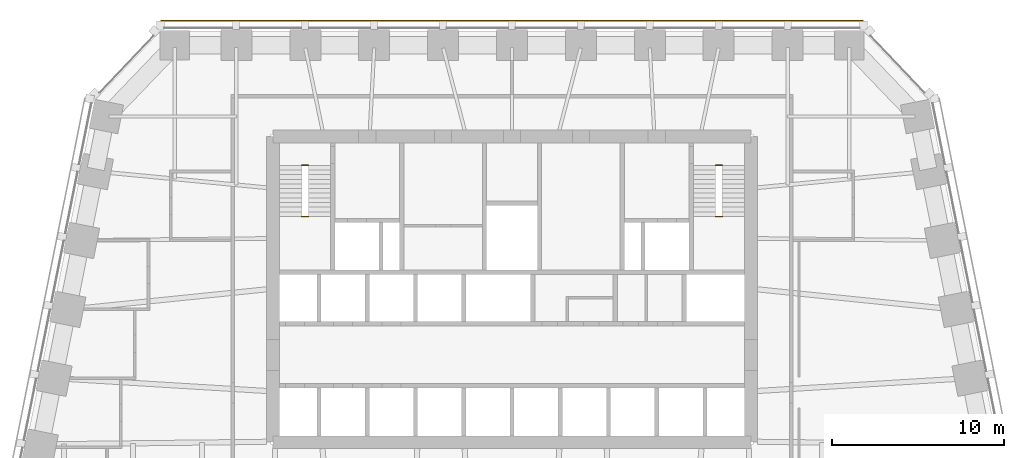
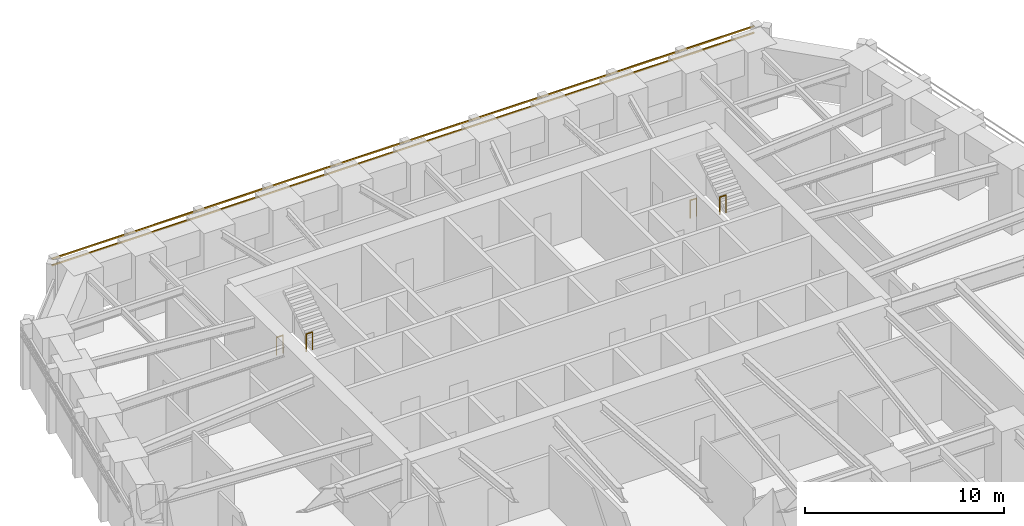
# One storey, part 10 of 10: 4 railings, 2 shading devices.
"""IFC4 building model written with IfcOpenShell, lengths in metres."""

from ifc_helpers import new_model, si_unit, direction, frame, origin, origin_2d, place, context, subcontext, project, spatial, rectangle, circle, extrude, material, material_profile, profile_set, type_object, element, save


model = new_model("IFC4")

# Units and contexts
model_context = context("Model", 3, precision=1e-05, world=origin(), true_north=direction((0.0, 1.0)))
body_context = subcontext(model_context, "Body", "Model", "MODEL_VIEW")
ifc_project = project(units=[si_unit("LENGTHUNIT", "METRE"), si_unit("AREAUNIT", "SQUARE_METRE"), si_unit("VOLUMEUNIT", "CUBIC_METRE"), si_unit("PLANEANGLEUNIT", "RADIAN"), si_unit("MASSUNIT", "GRAM", prefix="KILO")], contexts=[model_context])

# Site, building, storey
site_placement = place(None, origin())
site = spatial("IfcSite", under=ifc_project, at=site_placement, CompositionType="ELEMENT")
building_placement = place(site_placement, origin())
building = spatial("IfcBuilding", under=site, at=building_placement, Name="Isbrekke Arena Tower", CompositionType="ELEMENT")
storey_placement = place(building_placement, frame((0.0, 0.0, 111.0)))
storey = spatial("IfcBuildingStorey", under=building, at=storey_placement, Name="L24", CompositionType="ELEMENT", Elevation=111.0)

# Shading devices
ifc_material_1 = material(Name="Terracotta", Category="masonry")
ifc_material_profile = material_profile(ifc_material_1, rectangle(XDim=0.06005859375, YDim=0.06005859375, at=origin_2d()), Name="BAGUETTE 60X60")
ifc_profile_set = profile_set([ifc_material_profile], Name="Terracotta")
shading_device_type = type_object("IfcShadingDeviceType", Name="BG1 TERRACOTTA BAGUETTE 60 x 60", PredefinedType="USERDEFINED", material=ifc_profile_set)
for number, where, z_axis, x_axis, name in (
    (1, (20.39990234375, 30.60498046875, 3.280029296875), (-1.0, 0.0, 0.0), (0.0, -1.0, 0.0), "BG1 terracotta baguette N1 L24"),
    (2, (20.39990234375, 30.60498046875, 3.679931640625), (-1.0, 0.0, 0.0), (0.0, -1.0, 0.0), "BG1 terracotta baguette N2 L24"),
):
    element("IfcShadingDevice", number, at=place(storey_placement, frame(where, z_axis=z_axis, x_axis=x_axis)), inside=storey, type_object=shading_device_type, Name=name, ObjectType="TERRACOTTA BAGUETTE", PredefinedType="USERDEFINED", context=body_context, shape_type="SweptSolid", body=[
        extrude(rectangle(XDim=0.06005859375, YDim=0.06005859375, at=origin_2d()), origin(), (0.0, 0.0, 1.0), 40.7998046875),
    ])

# Railings
ifc_material_2 = material(Name="Steel stair guard, vertical bars, steel handrail", Category="steel")
railing_type = type_object("IfcRailingType", Name="GR3 STAIR WELL GUARD 1100", PredefinedType="GUARDRAIL", material=ifc_material_2)
for number, where, name in (
    (3, (-12.199951171875, 22.199951171875, 0.0), "GR3 stair well guard ST1 L24"),
    (4, (-12.199951171875, 19.22998046875, 2.0), "GR3 stair well guard ST1 L24"),
    (5, (11.824951171875, 22.199951171875, 0.0), "GR3 stair well guard ST2 L24"),
    (6, (11.824951171875, 19.22998046875, 2.0), "GR3 stair well guard ST2 L24"),
):
    element("IfcRailing", number, at=place(storey_placement, frame(where)), inside=storey, type_object=railing_type, Name=name, PredefinedType="GUARDRAIL", context=body_context, shape_type="SweptSolid", body=[
        extrude(circle(Radius=0.02392578125, at=origin_2d()), frame((0.0, 0.0, 1.076171875), z_axis=(1.0, 0.0, 0.0), x_axis=(0.0, 1.0, 0.0)), (0.0, 0.0, 1.0), 0.375),
        extrude(circle(Radius=0.02099609375, at=origin_2d()), origin(), (0.0, 0.0, 1.0), 1.052001953125),
        extrude(circle(Radius=0.02099609375, at=origin_2d()), frame((0.375, 0.0, 0.0)), (0.0, 0.0, 1.0), 1.052001953125),
    ])

save(model, "model.ifc")
